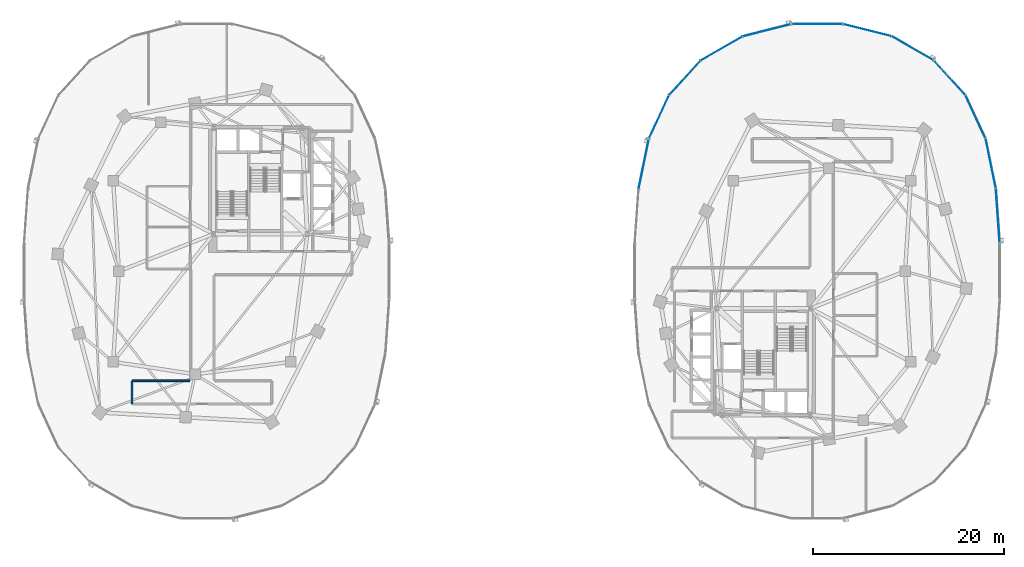
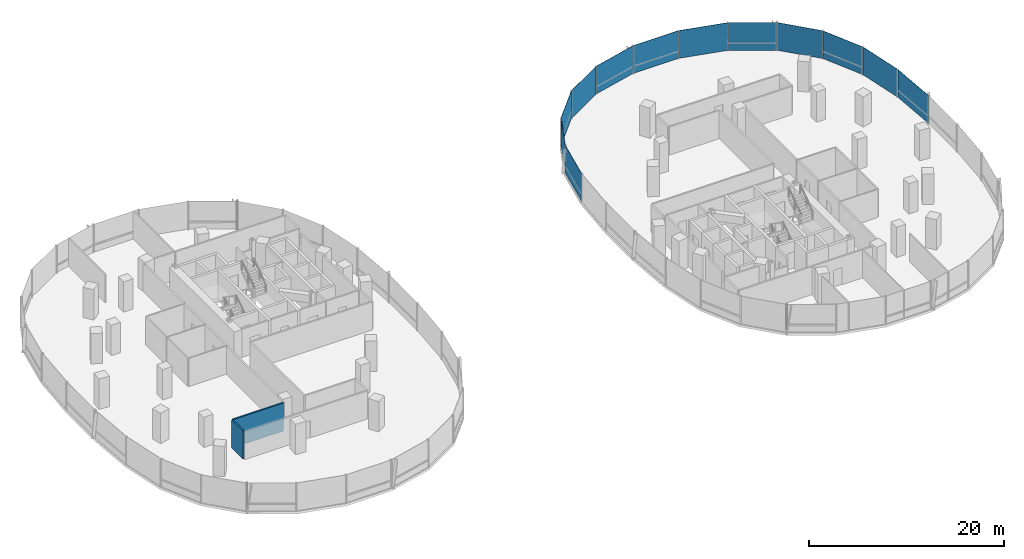
# One storey, part 10 of 21: 12 plates, 2 walls, 2 elements without a shape of their own.
"""IFC4 building model written with IfcOpenShell, lengths in metres."""

from ifc_helpers import new_model, si_unit, direction, frame, frame_2d, origin, origin_2d, place, context, subcontext, project, spatial, rectangle, extrude, material, layer, layer_set, type_object, element, aggregate, save


model = new_model("IFC4")

# Units and contexts
model_context = context("Model", 3, precision=1e-05, world=origin(), true_north=direction((0.0, 1.0)))
body_context = subcontext(model_context, "Body", "Model", "MODEL_VIEW")
ifc_project = project(units=[si_unit("LENGTHUNIT", "METRE"), si_unit("AREAUNIT", "SQUARE_METRE"), si_unit("VOLUMEUNIT", "CUBIC_METRE"), si_unit("PLANEANGLEUNIT", "RADIAN"), si_unit("MASSUNIT", "GRAM", prefix="KILO"), si_unit("THERMODYNAMICTEMPERATUREUNIT", "KELVIN"), si_unit("POWERUNIT", "WATT")], contexts=[model_context])

# Site, building, storey
site_placement = place(None, origin())
site = spatial("IfcSite", under=ifc_project, at=site_placement, CompositionType="ELEMENT")
building_placement = place(site_placement, origin())
building = spatial("IfcBuilding", under=site, at=building_placement, Name="Cundina Bronze Exchange", CompositionType="ELEMENT")
storey_placement = place(building_placement, frame((0.0, 0.0, 73.39990234375)))
storey = spatial("IfcBuildingStorey", under=building, at=storey_placement, Name="L18", CompositionType="ELEMENT", Elevation=73.39990234375)

# Curtain wall, plates
ifc_material_1 = material(Name="Anodised Bronze Aluminium 6063-T6", Category="aluminium")
curtain_wall_type = type_object("IfcCurtainWallType", Name="CWS-TRD-LOW", PredefinedType="NOTDEFINED", material=ifc_material_1)
curtain_wall_1_placement = place(storey_placement, origin())
curtain_wall_1 = element("IfcCurtainWall", 1, at=curtain_wall_1_placement, inside=storey, type_object=curtain_wall_type, Name="L18 CW-02 Curtain Wall Run CWR-L18-E1", PredefinedType="NOTDEFINED")
ifc_material_2 = material(Name="Heat-Strengthened Solar-Control Bronze Safety Glass 28mm", Category="glass")
ifc_layer_1 = layer(ifc_material_2, 0.028076171875, Name="Heat-Strengthened Solar-Control Bronze Safety Glass 28mm", Category="glass")
ifc_layer_set_1 = layer_set([ifc_layer_1], Name="Heat-Strengthened Solar-Control Bronze Safety Glass 28mm")
plate_type_1 = type_object("IfcPlateType", Name="PLT-GLZ-VIS28", PredefinedType="CURTAIN_PANEL", material=ifc_layer_set_1)
plate_1_placement = place(storey_placement, frame((50.9267578125, 5.783935546875, 0.02001953125), z_axis=(0.0, 0.0, 1.0), x_axis=(-0.070278787473, 0.997527389113, 0.0)))
plate_1 = element("IfcPlate", 2, at=plate_1_placement, type_object=plate_type_1, Name="CW-02 Glazed Panel 1", PredefinedType="CURTAIN_PANEL", context=body_context, shape_type="SweptSolid", body=[
    extrude(rectangle(XDim=5.644287109375, YDim=0.028076171875, at=origin_2d()), origin(), (0.0, 0.0, 1.0), 3.47998046875),
])
plate_2_placement = place(storey_placement, frame((48.586181640625, 16.177734375, 0.02001953125), z_axis=(0.0, 0.0, 1.0), x_axis=(-0.42084583328, 0.907132175932, 0.0)))
plate_2 = element("IfcPlate", 3, at=plate_2_placement, type_object=plate_type_1, Name="CW-02 Glazed Panel 3", PredefinedType="CURTAIN_PANEL", context=body_context, shape_type="SweptSolid", body=[
    extrude(rectangle(XDim=4.966552734375, YDim=0.028076171875, at=origin_2d()), origin(), (0.0, 0.0, 1.0), 3.47998046875),
])
plate_3_placement = place(storey_placement, frame((45.8740234375, 20.267333984375, 0.02001953125), z_axis=(0.0, 0.0, 1.0), x_axis=(-0.674276610219, 0.73847887777, 0.0)))
plate_3 = element("IfcPlate", 4, at=plate_3_placement, type_object=plate_type_1, Name="CW-02 Glazed Panel 4", PredefinedType="CURTAIN_PANEL", context=body_context, shape_type="SweptSolid", body=[
    extrude(rectangle(XDim=4.86328125, YDim=0.028076171875, at=origin_2d()), origin(), (0.0, 0.0, 1.0), 3.47998046875),
])
plate_4_placement = place(storey_placement, frame((42.019287109375, 23.34423828125, 0.02001953125), z_axis=(0.0, 0.0, 1.0), x_axis=(-0.867105478933, 0.498124571171, 0.0)))
plate_4 = element("IfcPlate", 5, at=plate_4_placement, type_object=plate_type_1, Name="CW-02 Glazed Panel 5", PredefinedType="CURTAIN_PANEL", context=body_context, shape_type="SweptSolid", body=[
    extrude(rectangle(XDim=5.021240234375, YDim=0.028076171875, at=origin_2d()), origin(), (0.0, 0.0, 1.0), 3.47998046875),
])
plate_5_placement = place(storey_placement, frame((37.255615234375, 25.256591796875, 0.02001953125), z_axis=(0.0, 0.0, 1.0), x_axis=(-0.969488149345, 0.245138182011, 0.0)))
plate_5 = element("IfcPlate", 6, at=plate_5_placement, type_object=plate_type_1, Name="CW-02 Glazed Panel 6", PredefinedType="CURTAIN_PANEL", context=body_context, shape_type="SweptSolid", body=[
    extrude(rectangle(XDim=5.2333984375, YDim=0.028076171875, at=origin_2d()), origin(), (0.0, 0.0, 1.0), 3.47998046875),
])

curtain_wall_2_placement = place(storey_placement, origin())
curtain_wall_2 = element("IfcCurtainWall", 7, at=curtain_wall_2_placement, inside=storey, type_object=curtain_wall_type, Name="L18 CW-02 Curtain Wall Run CWR-L18-E2", PredefinedType="NOTDEFINED")
plate_6_placement = place(storey_placement, frame((21.980712890625, 23.34423828125, 0.02001953125), z_axis=(0.0, 0.0, 1.0), x_axis=(-0.867105478933, -0.498124571171, 0.0)))
plate_6 = element("IfcPlate", 8, at=plate_6_placement, type_object=plate_type_1, Name="CW-02 Glazed Panel 2", PredefinedType="CURTAIN_PANEL", context=body_context, shape_type="SweptSolid", body=[
    extrude(rectangle(XDim=5.021240234375, YDim=0.028076171875, at=origin_2d()), origin(), (0.0, 0.0, 1.0), 3.47998046875),
])
plate_7_placement = place(storey_placement, frame((18.1259765625, 20.267333984375, 0.02001953125), z_axis=(0.0, 0.0, 1.0), x_axis=(-0.674276610219, -0.73847887777, 0.0)))
plate_7 = element("IfcPlate", 9, at=plate_7_placement, type_object=plate_type_1, Name="CW-02 Glazed Panel 3", PredefinedType="CURTAIN_PANEL", context=body_context, shape_type="SweptSolid", body=[
    extrude(rectangle(XDim=4.86328125, YDim=0.028076171875, at=origin_2d()), origin(), (0.0, 0.0, 1.0), 3.47998046875),
])
plate_8_placement = place(storey_placement, frame((15.413818359375, 16.177734375, 0.02001953125), z_axis=(0.0, 0.0, 1.0), x_axis=(-0.42084583328, -0.907132175932, 0.0)))
plate_8 = element("IfcPlate", 10, at=plate_8_placement, type_object=plate_type_1, Name="CW-02 Glazed Panel 4", PredefinedType="CURTAIN_PANEL", context=body_context, shape_type="SweptSolid", body=[
    extrude(rectangle(XDim=4.966552734375, YDim=0.028076171875, at=origin_2d()), origin(), (0.0, 0.0, 1.0), 3.47998046875),
])
plate_9_placement = place(storey_placement, frame((13.81591796875, 11.269775390625, 0.02001953125), z_axis=(0.0, 0.0, 1.0), x_axis=(-0.201419845156, -0.979505000486, 0.0)))
plate_9 = element("IfcPlate", 11, at=plate_9_placement, type_object=plate_type_1, Name="CW-02 Glazed Panel 5", PredefinedType="CURTAIN_PANEL", context=body_context, shape_type="SweptSolid", body=[
    extrude(rectangle(XDim=5.306640625, YDim=0.028076171875, at=origin_2d()), origin(), (0.0, 0.0, 1.0), 3.47998046875),
])

# Plate
ifc_material_3 = material(Name="Dark Bronze Spandrel Glass Panel 32mm", Category="glass")
ifc_layer_2 = layer(ifc_material_3, 0.031982421875, Name="Dark Bronze Spandrel Glass Panel 32mm", Category="glass")
ifc_layer_set_2 = layer_set([ifc_layer_2], Name="Dark Bronze Spandrel Glass Panel 32mm")
plate_type_2 = type_object("IfcPlateType", Name="PLT-SPN-BRZ32", PredefinedType="CURTAIN_PANEL", material=ifc_layer_set_2)
plate_10_placement = place(storey_placement, frame((50.18408203125, 11.269775390625, 0.02001953125), z_axis=(0.0, 0.0, 1.0), x_axis=(-0.201419845156, 0.979505000486, 0.0)))
plate_10 = element("IfcPlate", 12, at=plate_10_placement, type_object=plate_type_2, Name="CW-02 Glazed Panel 2", PredefinedType="CURTAIN_PANEL", context=body_context, shape_type="SweptSolid", body=[
    extrude(rectangle(XDim=5.306640625, YDim=0.031982421875, at=origin_2d()), origin(), (0.0, 0.0, 1.0), 3.47998046875),
])

plate_11_placement = place(storey_placement, frame((32.0, 25.905029296875, 0.02001953125), z_axis=(0.0, 0.0, 1.0), x_axis=(-1.0, 0.0, 0.0)))
plate_11 = element("IfcPlate", 13, at=plate_11_placement, type_object=plate_type_2, Name="CW-02 Glazed Panel 7", PredefinedType="CURTAIN_PANEL", context=body_context, shape_type="SweptSolid", body=[
    extrude(rectangle(XDim=5.323974609375, YDim=0.031982421875, at=origin_2d()), origin(), (0.0, 0.0, 1.0), 3.47998046875),
])

aggregate(curtain_wall_1, [plate_1, plate_10, plate_2, plate_3, plate_4, plate_5, plate_11])

plate_12_placement = place(storey_placement, frame((26.744384765625, 25.256591796875, 0.02001953125), z_axis=(0.0, 0.0, 1.0), x_axis=(-0.969488149345, -0.245138182011, 0.0)))
plate_12 = element("IfcPlate", 14, at=plate_12_placement, type_object=plate_type_2, Name="CW-02 Glazed Panel 1", PredefinedType="CURTAIN_PANEL", context=body_context, shape_type="SweptSolid", body=[
    extrude(rectangle(XDim=5.2333984375, YDim=0.031982421875, at=origin_2d()), origin(), (0.0, 0.0, 1.0), 3.47998046875),
])

aggregate(curtain_wall_2, [plate_12, plate_6, plate_7, plate_8, plate_9])

# Walls
ifc_material_4 = material(Name="Gypsum Fireboard Partition EI120")
ifc_layer_3 = layer(ifc_material_4, 0.179931640625, Name="Gypsum Fireboard Partition EI120")
ifc_layer_set_3 = layer_set([ifc_layer_3], Name="Gypsum Fireboard Partition EI120")
wall_type = type_object("IfcWallType", Name="WL-COR-180", PredefinedType="PARTITIONING", material=ifc_layer_set_3)
wall_1_placement = place(storey_placement, frame((-33.75, -11.47998046875, 0.0), z_axis=(0.0, 0.0, 1.0), x_axis=(-1.0, 0.0, 0.0)))
element("IfcWall", 15, at=wall_1_placement, inside=storey, type_object=wall_type, Name="L18 Interior Partition 023", PredefinedType="PARTITIONING", context=body_context, shape_type="SweptSolid", body=[
    extrude(rectangle(XDim=6.028564453125, YDim=0.179931640625, at=frame_2d((3.01416015625, 0.0))), origin(), (0.0, 0.0, 1.0), 3.52001953125),
])
wall_2_placement = place(storey_placement, frame((-39.820068359375, -11.521484375, 0.0), z_axis=(0.0, 0.0, 1.0), x_axis=(0.0, -1.0, 0.0)))
element("IfcWall", 16, at=wall_2_placement, inside=storey, type_object=wall_type, Name="L18 Interior Partition 029", PredefinedType="PARTITIONING", context=body_context, shape_type="SweptSolid", body=[
    extrude(rectangle(XDim=2.35693359375, YDim=0.179931640625, at=frame_2d((1.178466796875, 0.0))), origin(), (0.0, 0.0, 1.0), 3.52001953125),
])

save(model, "model.ifc")
